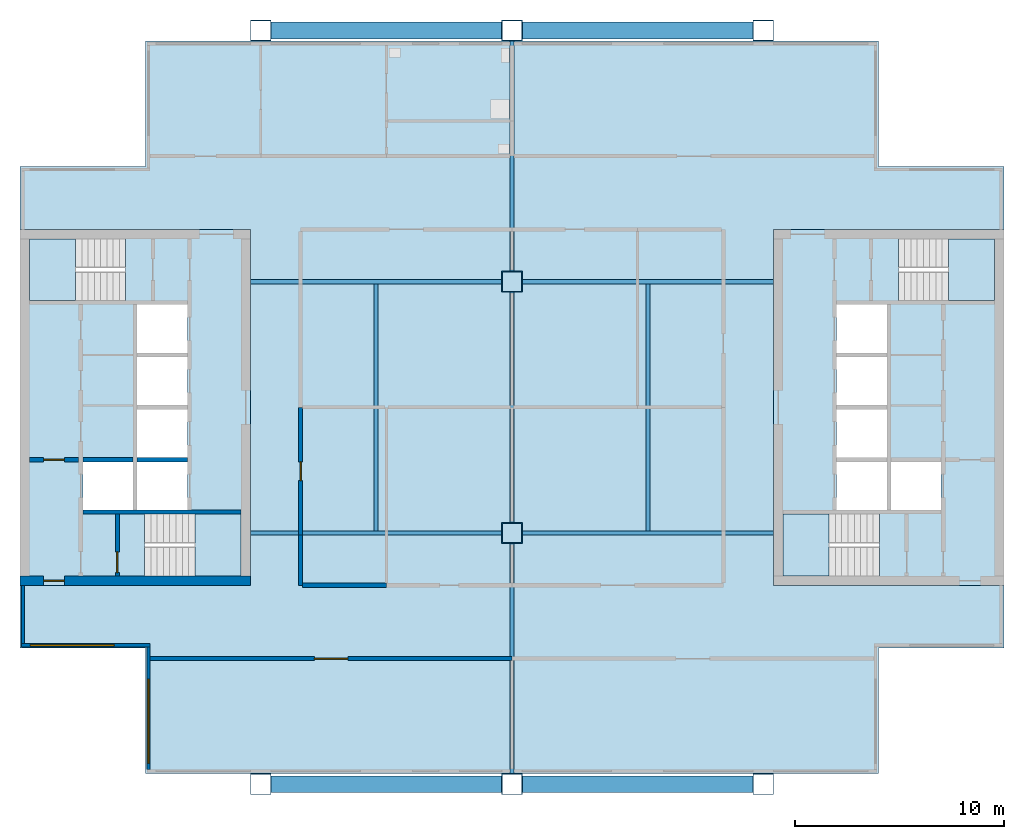
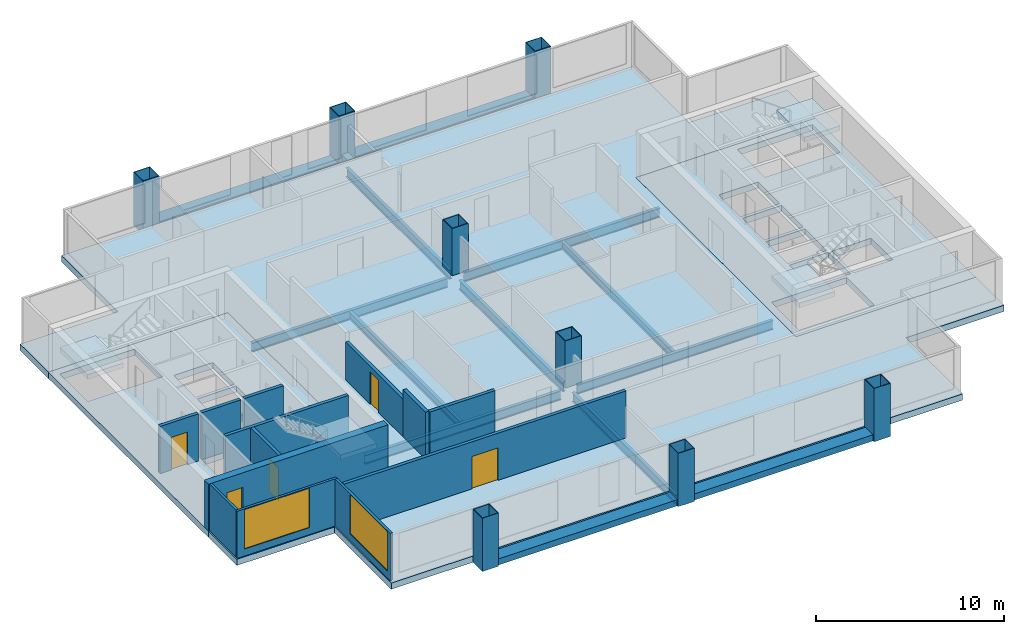
# One storey, part 1 of 7: 13 beams, 13 walls, 8 columns, 7 slabs, 5 doors, 2 windows, 7 openings, 4 elements without a shape of their own.
"""IFC4 building model written with IfcOpenShell, lengths in metres."""

from ifc_helpers import new_model, si_unit, direction, frame, frame_2d, origin, origin_2d, place, context, subcontext, project, spatial, polyline, rectangle, hollow_rectangle, i_section, outline, extrude, material, layer, layer_set, material_profile, profile_set, type_object, element, fill, aggregate, save


model = new_model("IFC4")

# Units and contexts
model_context = context("Model", 3, precision=1e-05, world=origin(), true_north=direction((0.0, 1.0)))
body_context = subcontext(model_context, "Body", "Model", "MODEL_VIEW")
ifc_project = project(units=[si_unit("LENGTHUNIT", "METRE"), si_unit("AREAUNIT", "SQUARE_METRE"), si_unit("VOLUMEUNIT", "CUBIC_METRE"), si_unit("PLANEANGLEUNIT", "RADIAN"), si_unit("MASSUNIT", "GRAM", prefix="KILO")], contexts=[model_context])

# Site, building, storey
site_placement = place(None, origin())
site = spatial("IfcSite", under=ifc_project, at=site_placement, CompositionType="ELEMENT")
building_placement = place(site_placement, origin())
building = spatial("IfcBuilding", under=site, at=building_placement, Name="Kitamizu Gate Tower and Museum", CompositionType="ELEMENT")
storey_placement = place(building_placement, frame((0.0, 0.0, 269.699951171875)))
storey = spatial("IfcBuildingStorey", under=building, at=storey_placement, Name="L73", CompositionType="ELEMENT", Elevation=269.699951171875)

# Columns
ifc_material_1 = material(Name="Steel SM490A bronze coated", Category="steel")
ifc_material_profile_1 = material_profile(ifc_material_1, hollow_rectangle(XDim=1.0, YDim=1.0, WallThickness=0.035888671875, at=origin_2d()), Name="BOX 1000x1000x36")
ifc_profile_set_1 = profile_set([ifc_material_profile_1], Name="Steel SM490A bronze coated")
column_type_1 = type_object("IfcColumnType", Name="Exoskeleton column XC9 BOX 1000x1000x36", PredefinedType="COLUMN", material=ifc_profile_set_1)
for number, where, z_axis, x_axis, name in (
    (1, (24.0, 12.0, -0.39990234375), (0.0, 0.0, 1.0), (1.0, 0.0, 0.0), "Column XC9 3B L73"),
    (2, (24.0, 48.0, -0.39990234375), (0.0, 0.0, 1.0), (1.0, 0.0, 0.0), "Column XC9 3E L73"),
    (3, (36.0, 12.0, -0.39990234375), (0.0, 0.0, 1.0), (1.0, 0.0, 0.0), "Column XC9 4B L73"),
    (4, (36.0, 48.0, -0.39990234375), (0.0, 0.0, 1.0), (1.0, 0.0, 0.0), "Column XC9 4E L73"),
    (5, (48.0, 12.0, -0.39990234375), (0.0, 0.0, 1.0), (1.0, 0.0, 0.0), "Column XC9 5B L73"),
    (6, (48.0, 48.0, -0.39990234375), (0.0, 0.0, 1.0), (1.0, 0.0, 0.0), "Column XC9 5E L73"),
):
    element("IfcColumn", number, at=place(storey_placement, frame(where, z_axis=z_axis, x_axis=x_axis)), inside=storey, type_object=column_type_1, Name=name, PredefinedType="COLUMN", context=body_context, shape_type="SweptSolid", body=[
        extrude(hollow_rectangle(XDim=1.0, YDim=1.0, WallThickness=0.035888671875, at=origin_2d()), origin(), (0.0, 0.0, 1.0), 3.449951171875),
    ])
ifc_material_2 = material(Name="Steel SM490A", Category="steel")
ifc_material_profile_2 = material_profile(ifc_material_2, hollow_rectangle(XDim=1.0, YDim=1.0, WallThickness=0.0400390625, at=origin_2d()), Name="BOX 1000x1000x40")
ifc_profile_set_2 = profile_set([ifc_material_profile_2], Name="Steel SM490A")
column_type_2 = type_object("IfcColumnType", Name="Interior column IC5 BOX 1000x1000x40", PredefinedType="COLUMN", material=ifc_profile_set_2)
for number, where, z_axis, x_axis, name in (
    (7, (36.0, 24.0, 0.0), (0.0, 0.0, 1.0), (1.0, 0.0, 0.0), "Column IC5 4C L73"),
    (8, (36.0, 36.0, 0.0), (0.0, 0.0, 1.0), (1.0, 0.0, 0.0), "Column IC5 4D L73"),
):
    element("IfcColumn", number, at=place(storey_placement, frame(where, z_axis=z_axis, x_axis=x_axis)), inside=storey, type_object=column_type_2, Name=name, PredefinedType="COLUMN", context=body_context, shape_type="SweptSolid", body=[
        extrude(hollow_rectangle(XDim=1.0, YDim=1.0, WallThickness=0.0400390625, at=origin_2d()), origin(), (0.0, 0.0, 1.0), 3.050048828125),
    ])

# Beams
ifc_material_3 = material(Name="Steel SM490A bronze coated", Category="steel")
ifc_material_profile_3 = material_profile(ifc_material_3, hollow_rectangle(XDim=0.800048828125, YDim=0.39990234375, WallThickness=0.0400390625, at=origin_2d()), Name="BOX 800x400x40")
ifc_profile_set_3 = profile_set([ifc_material_profile_3], Name="Steel SM490A bronze coated")
beam_type_1 = type_object("IfcBeamType", Name="Exoskeleton spandrel beam SB1 BOX 800x400x40", PredefinedType="SPANDREL", material=ifc_profile_set_3)
for number, where, z_axis, x_axis, name in (
    (9, (24.5, 12.0, -0.199951171875), (1.0, 0.0, 0.0), (0.0, 1.0, 0.0), "Exoskeleton spandrel beam south 24 L73"),
    (10, (36.5, 12.0, -0.199951171875), (1.0, 0.0, 0.0), (0.0, 1.0, 0.0), "Exoskeleton spandrel beam south 36 L73"),
    (11, (24.5, 48.0, -0.199951171875), (1.0, 0.0, 0.0), (0.0, 1.0, 0.0), "Exoskeleton spandrel beam north 24 L73"),
    (12, (36.5, 48.0, -0.199951171875), (1.0, 0.0, 0.0), (0.0, 1.0, 0.0), "Exoskeleton spandrel beam north 36 L73"),
):
    element("IfcBeam", number, at=place(storey_placement, frame(where, z_axis=z_axis, x_axis=x_axis)), inside=storey, type_object=beam_type_1, Name=name, PredefinedType="SPANDREL", context=body_context, shape_type="SweptSolid", body=[
        extrude(hollow_rectangle(XDim=0.800048828125, YDim=0.39990234375, WallThickness=0.0400390625, at=origin_2d()), origin(), (0.0, 0.0, 1.0), 11.0),
    ])
ifc_material_4 = material(Name="Steel SM490A", Category="steel")
ifc_material_profile_4 = material_profile(ifc_material_4, i_section(OverallWidth=0.199951171875, OverallDepth=0.5, WebThickness=0.010009765625, FlangeThickness=0.01611328125, FilletRadius=0.02001953125, at=origin_2d()), Name="H-500x200x10x16")
ifc_profile_set_4 = profile_set([ifc_material_profile_4], Name="Steel SM490A")
beam_type_2 = type_object("IfcBeamType", Name="Floor beam FB1 H 500x200x10x16", PredefinedType="BEAM", material=ifc_profile_set_4)
for number, where, z_axis, x_axis, name in (
    (13, (29.5, 24.10009765625, -0.64990234375), (0.0, 1.0, 0.0), (-1.0, 0.0, 0.0), "Floor beam FB1 L73-1"),
    (14, (42.5, 24.10009765625, -0.64990234375), (0.0, 1.0, 0.0), (-1.0, 0.0, 0.0), "Floor beam FB1 L73-2"),
):
    element("IfcBeam", number, at=place(storey_placement, frame(where, z_axis=z_axis, x_axis=x_axis)), inside=storey, type_object=beam_type_2, Name=name, PredefinedType="BEAM", context=body_context, shape_type="SweptSolid", body=[
        extrude(i_section(OverallWidth=0.199951171875, OverallDepth=0.5, WebThickness=0.010009765625, FlangeThickness=0.01611328125, FilletRadius=0.02001953125, at=origin_2d()), origin(), (0.0, 0.0, 1.0), 11.7998046875),
    ])
ifc_material_5 = material(Name="Steel SM490A", Category="steel")
ifc_material_profile_5 = material_profile(ifc_material_5, i_section(OverallWidth=0.199951171875, OverallDepth=0.60009765625, WebThickness=0.010986328125, FlangeThickness=0.01708984375, FilletRadius=0.02197265625, at=origin_2d()), Name="H-600x200x11x17")
ifc_profile_set_5 = profile_set([ifc_material_profile_5], Name="Steel SM490A")
beam_type_3 = type_object("IfcBeamType", Name="Floor girder FG1 H 600x200x11x17", PredefinedType="BEAM", material=ifc_profile_set_5)
for number, where, z_axis, x_axis, name in (
    (15, (36.0, 12.5, -0.699951171875), (0.0, 1.0, 0.0), (-1.0, 0.0, 0.0), "Floor girder FG1 x36 L73"),
    (16, (36.0, 24.5, -0.699951171875), (0.0, 1.0, 0.0), (-1.0, 0.0, 0.0), "Floor girder FG1 x36 L73"),
    (17, (36.0, 36.5, -0.699951171875), (0.0, 1.0, 0.0), (-1.0, 0.0, 0.0), "Floor girder FG1 x36 L73"),
):
    element("IfcBeam", number, at=place(storey_placement, frame(where, z_axis=z_axis, x_axis=x_axis)), inside=storey, type_object=beam_type_3, Name=name, PredefinedType="BEAM", context=body_context, shape_type="SweptSolid", body=[
        extrude(i_section(OverallWidth=0.199951171875, OverallDepth=0.60009765625, WebThickness=0.010986328125, FlangeThickness=0.01708984375, FilletRadius=0.02197265625, at=origin_2d()), origin(), (0.0, 0.0, 1.0), 11.0),
    ])
for number, where, z_axis, x_axis, name in (
    (18, (23.5, 24.0, -0.699951171875), (1.0, 0.0, 0.0), (0.0, 1.0, 0.0), "Floor girder FG1 y24 L73"),
    (19, (36.5, 24.0, -0.699951171875), (1.0, 0.0, 0.0), (0.0, 1.0, 0.0), "Floor girder FG1 y24 L73"),
    (20, (23.5, 36.0, -0.699951171875), (1.0, 0.0, 0.0), (0.0, 1.0, 0.0), "Floor girder FG1 y36 L73"),
    (21, (36.5, 36.0, -0.699951171875), (1.0, 0.0, 0.0), (0.0, 1.0, 0.0), "Floor girder FG1 y36 L73"),
):
    element("IfcBeam", number, at=place(storey_placement, frame(where, z_axis=z_axis, x_axis=x_axis)), inside=storey, type_object=beam_type_3, Name=name, PredefinedType="BEAM", context=body_context, shape_type="SweptSolid", body=[
        extrude(i_section(OverallWidth=0.199951171875, OverallDepth=0.60009765625, WebThickness=0.010986328125, FlangeThickness=0.01708984375, FilletRadius=0.02197265625, at=origin_2d()), origin(), (0.0, 0.0, 1.0), 12.0),
    ])

# Slabs
ifc_material_6 = material(Name="Concrete Fc36", Category="concrete")
ifc_layer_1 = layer(ifc_material_6, 0.39990234375)
ifc_layer_set_1 = layer_set([ifc_layer_1], Name="Concrete Fc36")
slab_type_1 = type_object("IfcSlabType", Name="Core floor slab 400", PredefinedType="FLOOR", material=ifc_layer_set_1)
slab_1_placement = place(storey_placement, frame((0.0, 0.0, -0.39990234375)))
element("IfcSlab", 22, at=slab_1_placement, inside=storey, type_object=slab_type_1, Name="Core floor slab W", PredefinedType="FLOOR", context=body_context, shape_type="SweptSolid", body=[
    extrude(outline(polyline([(12.5, 21.5), (23.5, 21.5), (23.5, 38.5), (12.5, 38.5), (12.5, 21.5)]), holes=[polyline([(15.5, 25.10009765625), (17.89990234375, 25.10009765625), (17.89990234375, 27.39990234375), (15.5, 27.39990234375), (15.5, 25.10009765625)]), polyline([(18.10009765625, 25.10009765625), (20.5, 25.10009765625), (20.5, 27.39990234375), (18.10009765625, 27.39990234375), (18.10009765625, 25.10009765625)]), polyline([(18.10009765625, 27.60009765625), (20.5, 27.60009765625), (20.5, 29.89990234375), (18.10009765625, 29.89990234375), (18.10009765625, 27.60009765625)]), polyline([(18.10009765625, 30.10009765625), (20.5, 30.10009765625), (20.5, 32.39990234375), (18.10009765625, 32.39990234375), (18.10009765625, 30.10009765625)]), polyline([(18.10009765625, 32.60009765625), (20.5, 32.60009765625), (20.5, 34.89990234375), (18.10009765625, 34.89990234375), (18.10009765625, 32.60009765625)]), polyline([(18.45068359375, 21.949951171875), (23.050048828125, 21.949951171875), (23.050048828125, 24.89990234375), (18.45068359375, 24.89990234375), (18.45068359375, 21.949951171875)]), polyline([(12.949951171875, 35.10009765625), (17.54931640625, 35.10009765625), (17.54931640625, 38.050048828125), (12.949951171875, 38.050048828125), (12.949951171875, 35.10009765625)])]), origin(), (0.0, 0.0, 1.0), 0.39990234375),
])
slab_2_placement = place(storey_placement, frame((0.0, 0.0, -0.39990234375)))
element("IfcSlab", 23, at=slab_2_placement, inside=storey, type_object=slab_type_1, Name="Core floor slab E", PredefinedType="FLOOR", context=body_context, shape_type="SweptSolid", body=[
    extrude(outline(polyline([(48.5, 21.5), (59.5, 21.5), (59.5, 38.5), (48.5, 38.5), (48.5, 21.5)]), holes=[polyline([(54.10009765625, 25.10009765625), (56.5, 25.10009765625), (56.5, 27.39990234375), (54.10009765625, 27.39990234375), (54.10009765625, 25.10009765625)]), polyline([(51.5, 25.10009765625), (53.89990234375, 25.10009765625), (53.89990234375, 27.39990234375), (51.5, 27.39990234375), (51.5, 25.10009765625)]), polyline([(51.5, 27.60009765625), (53.89990234375, 27.60009765625), (53.89990234375, 29.89990234375), (51.5, 29.89990234375), (51.5, 27.60009765625)]), polyline([(51.5, 30.10009765625), (53.89990234375, 30.10009765625), (53.89990234375, 32.39990234375), (51.5, 32.39990234375), (51.5, 30.10009765625)]), polyline([(51.5, 32.60009765625), (53.89990234375, 32.60009765625), (53.89990234375, 34.89990234375), (51.5, 34.89990234375), (51.5, 32.60009765625)]), polyline([(48.949951171875, 21.949951171875), (53.54931640625, 21.949951171875), (53.54931640625, 24.89990234375), (48.949951171875, 24.89990234375), (48.949951171875, 21.949951171875)]), polyline([(54.45068359375, 35.10009765625), (59.050048828125, 35.10009765625), (59.050048828125, 38.050048828125), (54.45068359375, 38.050048828125), (54.45068359375, 35.10009765625)])]), origin(), (0.0, 0.0, 1.0), 0.39990234375),
])
ifc_material_7 = material(Name="Concrete Fc36", Category="concrete")
ifc_layer_2 = layer(ifc_material_7, 0.39990234375)
ifc_layer_set_2 = layer_set([ifc_layer_2], Name="Concrete Fc36")
slab_type_2 = type_object("IfcSlabType", Name="Post tensioned flat slab 400", PredefinedType="FLOOR", material=ifc_layer_set_2)
slab_3_placement = place(storey_placement, frame((0.0, 0.0, -0.39990234375)))
element("IfcSlab", 24, at=slab_3_placement, inside=storey, type_object=slab_type_2, Name="Floor slab L73-1", PredefinedType="FLOOR", context=body_context, shape_type="SweptSolid", body=[
    extrude(outline(polyline([(12.5, 18.5), (12.5, 21.5), (23.5, 21.5), (23.5, 38.5), (12.5, 38.5), (12.5, 41.5), (18.5, 41.5), (18.5, 47.5), (53.5, 47.5), (53.5, 41.5), (59.5, 41.5), (59.5, 38.5), (48.5, 38.5), (48.5, 21.5), (59.5, 21.5), (59.5, 18.5), (53.5, 18.5), (53.5, 12.5), (18.5, 12.5), (18.5, 18.5), (12.5, 18.5)])), origin(), (0.0, 0.0, 1.0), 0.39990234375),
])

# Stair, slab
ifc_material_8 = material(Name="Concrete Fc42", Category="concrete")
stair_type = type_object("IfcStairType", Name="Exit stair 1375 wide 192 rise 300 going", PredefinedType="HALF_TURN_STAIR", material=ifc_material_8)
stair_1_placement = place(storey_placement, origin())
stair_1 = element("IfcStair", 25, at=stair_1_placement, inside=storey, type_object=stair_type, Name="Exit stair ST1", PredefinedType="HALF_TURN_STAIR")
ifc_material_9 = material(Name="Concrete Fc42", Category="concrete")
ifc_layer_3 = layer(ifc_material_9, 0.300048828125)
ifc_layer_set_3 = layer_set([ifc_layer_3], Name="Concrete Fc42")
slab_type_3 = type_object("IfcSlabType", Name="Stair landing 300", PredefinedType="LANDING", material=ifc_layer_set_3)
slab_4_placement = place(storey_placement, frame((0.0, 0.0, 1.425048828125)))
slab_4 = element("IfcSlab", 26, at=slab_4_placement, type_object=slab_type_3, Name="ST1 landing 1", PredefinedType="LANDING", context=body_context, shape_type="SweptSolid", body=[
    extrude(outline(polyline([(20.85009765625, 21.949951171875), (23.050048828125, 21.949951171875), (23.050048828125, 24.89990234375), (20.85009765625, 24.89990234375), (20.85009765625, 21.949951171875)])), origin(), (0.0, 0.0, 1.0), 0.300048828125),
])
aggregate(stair_1, [slab_4])

stair_2_placement = place(storey_placement, origin())
stair_2 = element("IfcStair", 27, at=stair_2_placement, inside=storey, type_object=stair_type, Name="Exit stair ST2", PredefinedType="HALF_TURN_STAIR")
slab_5_placement = place(storey_placement, frame((0.0, 0.0, 1.425048828125)))
slab_5 = element("IfcSlab", 28, at=slab_5_placement, type_object=slab_type_3, Name="ST2 landing 1", PredefinedType="LANDING", context=body_context, shape_type="SweptSolid", body=[
    extrude(outline(polyline([(12.949951171875, 35.10009765625), (15.14990234375, 35.10009765625), (15.14990234375, 38.050048828125), (12.949951171875, 38.050048828125), (12.949951171875, 35.10009765625)])), origin(), (0.0, 0.0, 1.0), 0.300048828125),
])
aggregate(stair_2, [slab_5])

stair_3_placement = place(storey_placement, origin())
stair_3 = element("IfcStair", 29, at=stair_3_placement, inside=storey, type_object=stair_type, Name="Exit stair ST3", PredefinedType="HALF_TURN_STAIR")
slab_6_placement = place(storey_placement, frame((0.0, 0.0, 1.425048828125)))
slab_6 = element("IfcSlab", 30, at=slab_6_placement, type_object=slab_type_3, Name="ST3 landing 1", PredefinedType="LANDING", context=body_context, shape_type="SweptSolid", body=[
    extrude(outline(polyline([(48.949951171875, 21.949951171875), (51.14990234375, 21.949951171875), (51.14990234375, 24.89990234375), (48.949951171875, 24.89990234375), (48.949951171875, 21.949951171875)])), origin(), (0.0, 0.0, 1.0), 0.300048828125),
])
aggregate(stair_3, [slab_6])

stair_4_placement = place(storey_placement, origin())
stair_4 = element("IfcStair", 31, at=stair_4_placement, inside=storey, type_object=stair_type, Name="Exit stair ST4", PredefinedType="HALF_TURN_STAIR")
slab_7_placement = place(storey_placement, frame((0.0, 0.0, 1.425048828125)))
slab_7 = element("IfcSlab", 32, at=slab_7_placement, type_object=slab_type_3, Name="ST4 landing 1", PredefinedType="LANDING", context=body_context, shape_type="SweptSolid", body=[
    extrude(outline(polyline([(56.85009765625, 35.10009765625), (59.050048828125, 35.10009765625), (59.050048828125, 38.050048828125), (56.85009765625, 38.050048828125), (56.85009765625, 35.10009765625)])), origin(), (0.0, 0.0, 1.0), 0.300048828125),
])
aggregate(stair_4, [slab_7])

# Wall, opening, door
ifc_material_10 = material(Name="Concrete Fc42", Category="concrete")
ifc_layer_4 = layer(ifc_material_10, 0.449951171875)
ifc_layer_set_4 = layer_set([ifc_layer_4], Name="Concrete Fc42")
wall_type_1 = type_object("IfcWallType", Name="Core wall 450 EI 60", PredefinedType="SHEAR", material=ifc_layer_set_4)
wall_1_placement = place(storey_placement, frame((12.5, 21.72509765625, 0.0), z_axis=(0.0, 0.0, 1.0), x_axis=(1.0, 0.0, 0.0)))
wall_1 = element("IfcWall", 33, at=wall_1_placement, inside=storey, type_object=wall_type_1, Name="Core wall WS", PredefinedType="SHEAR", context=body_context, shape_type="SweptSolid", body=[
    extrude(rectangle(XDim=11.0, YDim=0.449951171875, at=frame_2d((5.5, 0.0))), origin(), (0.0, 0.0, 1.0), 3.050048828125),
])
opening_1_placement = place(wall_1_placement, frame((1.125, 0.0, 0.0)))
opening_1 = element("IfcOpeningElement", 34, at=opening_1_placement, cuts=wall_1, Name="Opening L73-019", PredefinedType="OPENING", context=body_context, shape_type="SweptSolid", body=[
    extrude(rectangle(XDim=1.0, YDim=2.10009765625, at=frame_2d((0.5, 1.050048828125))), frame((0.0, 0.23486328125, 0.0), z_axis=(0.0, -1.0, 0.0), x_axis=(1.0, 0.0, 0.0)), (0.0, 0.0, 1.0), 0.469970703125),
])
ifc_material_11 = material(Name="Hollow metal door set")
door_type_1 = type_object("IfcDoorType", Name="Fire door 1000", OperationType="NOTDEFINED", PredefinedType="DOOR", material=ifc_material_11)
door_1_placement = place(opening_1_placement, origin())
door_1 = element("IfcDoor", 35, at=door_1_placement, inside=storey, type_object=door_type_1, Name="Fire-fighting lobby door L73-019", OperationType="SINGLE_SWING_LEFT", OverallHeight=2.10009765625, OverallWidth=1.0, PredefinedType="DOOR", context=body_context, shape_type="SweptSolid", body=[
    extrude(rectangle(XDim=1.0, YDim=2.10009765625, at=frame_2d((0.5, 1.050048828125))), frame((0.0, 0.02490234375, 0.0), z_axis=(0.0, -1.0, 0.0), x_axis=(1.0, 0.0, 0.0)), (0.0, 0.0, 1.0), 0.050048828125),
])
fill(opening_1, door_1)

ifc_material_12 = material(Name="Gypsum board on galvanised stud")
ifc_layer_5 = layer(ifc_material_12, 0.199951171875)
ifc_layer_set_5 = layer_set([ifc_layer_5], Name="Gypsum board on galvanised stud")
wall_type_2 = type_object("IfcWallType", Name="Partition 200", PredefinedType="PARTITIONING", material=ifc_layer_set_5)
wall_2_placement = place(storey_placement, frame((36.0, 18.0, 0.0), z_axis=(0.0, 0.0, 1.0), x_axis=(-1.0, 0.0, 0.0)))
wall_2 = element("IfcWall", 36, at=wall_2_placement, inside=storey, type_object=wall_type_2, Name="Partition L73-012", PredefinedType="PARTITIONING", context=body_context, shape_type="SweptSolid", body=[
    extrude(rectangle(XDim=17.280029296875, YDim=0.199951171875, at=frame_2d((8.64013671875, 0.0))), origin(), (0.0, 0.0, 1.0), 3.050048828125),
])
opening_2_placement = place(wall_2_placement, frame((7.840087890625, 0.0, 0.0)))
opening_2 = element("IfcOpeningElement", 37, at=opening_2_placement, cuts=wall_2, Name="Opening L73-006", PredefinedType="OPENING", context=body_context, shape_type="SweptSolid", body=[
    extrude(rectangle(XDim=1.60009765625, YDim=2.10009765625, at=frame_2d((0.800048828125, 1.050048828125))), frame((0.0, 0.10986328125, 0.0), z_axis=(0.0, -1.0, 0.0), x_axis=(1.0, 0.0, 0.0)), (0.0, 0.0, 1.0), 0.219970703125),
])
ifc_material_13 = material(Name="Timber door set", Category="wood")
door_type_2 = type_object("IfcDoorType", Name="Double door 1600", OperationType="DOUBLE_DOOR_SINGLE_SWING", PredefinedType="DOOR", material=ifc_material_13)
door_2_placement = place(opening_2_placement, origin())
door_2 = element("IfcDoor", 38, at=door_2_placement, inside=storey, type_object=door_type_2, Name="Double door L73-006", OperationType="DOUBLE_DOOR_SINGLE_SWING", OverallHeight=2.10009765625, OverallWidth=1.60009765625, PredefinedType="DOOR", context=body_context, shape_type="SweptSolid", body=[
    extrude(rectangle(XDim=1.60009765625, YDim=2.10009765625, at=frame_2d((0.800048828125, 1.050048828125))), frame((0.0, 0.02490234375, 0.0), z_axis=(0.0, -1.0, 0.0), x_axis=(1.0, 0.0, 0.0)), (0.0, 0.0, 1.0), 0.050048828125),
])
fill(opening_2, door_2)

wall_3_placement = place(storey_placement, frame((25.89990234375, 30.0, 0.0), z_axis=(0.0, 0.0, 1.0), x_axis=(0.0, -1.0, 0.0)))
wall_3 = element("IfcWall", 39, at=wall_3_placement, inside=storey, type_object=wall_type_2, Name="Partition L73-014", PredefinedType="PARTITIONING", context=body_context, shape_type="SweptSolid", body=[
    extrude(rectangle(XDim=6.10009765625, YDim=0.199951171875, at=frame_2d((3.050048828125, 0.0))), origin(), (0.0, 0.0, 1.0), 2.449951171875),
])
opening_3_placement = place(wall_3_placement, frame((2.60009765625, 0.0, 0.0)))
opening_3 = element("IfcOpeningElement", 40, at=opening_3_placement, cuts=wall_3, Name="Opening L73-008", PredefinedType="OPENING", context=body_context, shape_type="SweptSolid", body=[
    extrude(rectangle(XDim=0.89990234375, YDim=2.10009765625, at=frame_2d((0.449951171875, 1.050048828125))), frame((0.0, 0.10986328125, 0.0), z_axis=(0.0, -1.0, 0.0), x_axis=(1.0, 0.0, 0.0)), (0.0, 0.0, 1.0), 0.219970703125),
])
ifc_material_14 = material(Name="Timber door set", Category="wood")
door_type_3 = type_object("IfcDoorType", Name="Room door 900", OperationType="NOTDEFINED", PredefinedType="DOOR", material=ifc_material_14)
door_3_placement = place(opening_3_placement, origin())
door_3 = element("IfcDoor", 41, at=door_3_placement, inside=storey, type_object=door_type_3, Name="Door L73-008", OperationType="SINGLE_SWING_RIGHT", OverallHeight=2.10009765625, OverallWidth=0.89990234375, PredefinedType="DOOR", context=body_context, shape_type="SweptSolid", body=[
    extrude(rectangle(XDim=0.89990234375, YDim=2.10009765625, at=frame_2d((0.449951171875, 1.050048828125))), frame((0.0, 0.02490234375, 0.0), z_axis=(0.0, -1.0, 0.0), x_axis=(1.0, 0.0, 0.0)), (0.0, 0.0, 1.0), 0.050048828125),
])
fill(opening_3, door_3)

# Walls
wall_4_placement = place(storey_placement, frame((25.89990234375, 23.89990234375, 0.0), z_axis=(0.0, 0.0, 1.0), x_axis=(0.0, -1.0, 0.0)))
element("IfcWall", 42, at=wall_4_placement, inside=storey, type_object=wall_type_2, Name="Partition L73-015", PredefinedType="PARTITIONING", context=body_context, shape_type="SweptSolid", body=[
    extrude(rectangle(XDim=2.39990234375, YDim=0.199951171875, at=frame_2d((1.199951171875, 0.0))), origin(), (0.0, 0.0, 1.0), 3.050048828125),
])
wall_5_placement = place(storey_placement, frame((26.0, 21.5, 0.0), z_axis=(0.0, 0.0, 1.0), x_axis=(1.0, 0.0, 0.0)))
element("IfcWall", 43, at=wall_5_placement, inside=storey, type_object=wall_type_2, Name="Partition L73-016", PredefinedType="PARTITIONING", context=body_context, shape_type="SweptSolid", body=[
    extrude(rectangle(XDim=4.0, YDim=0.199951171875, at=frame_2d((2.0, 0.0))), origin(), (0.0, 0.0, 1.0), 3.050048828125),
])
ifc_material_15 = material(Name="Concrete Fc42", Category="concrete")
ifc_layer_6 = layer(ifc_material_15, 0.199951171875)
ifc_layer_set_6 = layer_set([ifc_layer_6], Name="Concrete Fc42")
wall_type_3 = type_object("IfcWallType", Name="Shaft wall 200", PredefinedType="SOLIDWALL", material=ifc_layer_set_6)
wall_6_placement = place(storey_placement, frame((15.5, 25.0, 0.0), z_axis=(0.0, 0.0, 1.0), x_axis=(1.0, 0.0, 0.0)))
element("IfcWall", 44, at=wall_6_placement, inside=storey, type_object=wall_type_3, Name="Shaft wall WSB", PredefinedType="SOLIDWALL", context=body_context, shape_type="SweptSolid", body=[
    extrude(rectangle(XDim=7.550048828125, YDim=0.199951171875, at=frame_2d((3.77490234375, 0.0))), origin(), (0.0, 0.0, 1.0), 3.050048828125),
])

# Wall, opening, door
wall_7_placement = place(storey_placement, frame((12.949951171875, 27.5, 0.0), z_axis=(0.0, 0.0, 1.0), x_axis=(1.0, 0.0, 0.0)))
wall_7 = element("IfcWall", 45, at=wall_7_placement, inside=storey, type_object=wall_type_3, Name="Shaft wall WFFN", PredefinedType="SOLIDWALL", context=body_context, shape_type="SweptSolid", body=[
    extrude(rectangle(XDim=2.35009765625, YDim=0.199951171875, at=frame_2d((1.175048828125, 0.0))), origin(), (0.0, 0.0, 1.0), 3.050048828125),
])
opening_4_placement = place(wall_7_placement, frame((0.675048828125, 0.0, 0.0)))
opening_4 = element("IfcOpeningElement", 46, at=opening_4_placement, cuts=wall_7, Name="Opening L73-018", PredefinedType="OPENING", context=body_context, shape_type="SweptSolid", body=[
    extrude(rectangle(XDim=1.0, YDim=2.10009765625, at=frame_2d((0.5, 1.050048828125))), frame((0.0, 0.10986328125, 0.0), z_axis=(0.0, -1.0, 0.0), x_axis=(1.0, 0.0, 0.0)), (0.0, 0.0, 1.0), 0.219970703125),
])
door_4_placement = place(opening_4_placement, frame((1.0, 0.0, 0.0), x_axis=(-1.0, 0.0, 0.0)))
door_4 = element("IfcDoor", 47, at=door_4_placement, inside=storey, type_object=door_type_1, Name="Fire-fighting lobby door L73-018", OperationType="SINGLE_SWING_LEFT", OverallHeight=2.10009765625, OverallWidth=1.0, PredefinedType="DOOR", context=body_context, shape_type="SweptSolid", body=[
    extrude(rectangle(XDim=1.0, YDim=2.10009765625, at=frame_2d((0.5, 1.050048828125))), frame((0.0, 0.02490234375, 0.0), z_axis=(0.0, -1.0, 0.0), x_axis=(1.0, 0.0, 0.0)), (0.0, 0.0, 1.0), 0.050048828125),
])
fill(opening_4, door_4)

wall_8_placement = place(storey_placement, frame((17.14990234375, 21.949951171875, 0.0), z_axis=(0.0, 0.0, 1.0), x_axis=(0.0, 1.0, 0.0)))
wall_8 = element("IfcWall", 48, at=wall_8_placement, inside=storey, type_object=wall_type_3, Name="Shaft wall WSZ", PredefinedType="SOLIDWALL", context=body_context, shape_type="SweptSolid", body=[
    extrude(rectangle(XDim=2.949951171875, YDim=0.199951171875, at=frame_2d((1.47509765625, 0.0))), origin(), (0.0, 0.0, 1.0), 3.050048828125),
])
opening_5_placement = place(wall_8_placement, frame((0.14990234375, 0.0, 0.0)))
opening_5 = element("IfcOpeningElement", 49, at=opening_5_placement, cuts=wall_8, Name="Opening L73-014", PredefinedType="OPENING", context=body_context, shape_type="SweptSolid", body=[
    extrude(rectangle(XDim=1.0, YDim=2.10009765625, at=frame_2d((0.5, 1.050048828125))), frame((0.0, 0.10986328125, 0.0), z_axis=(0.0, -1.0, 0.0), x_axis=(1.0, 0.0, 0.0)), (0.0, 0.0, 1.0), 0.219970703125),
])
door_5_placement = place(opening_5_placement, frame((1.0, 0.0, 0.0), x_axis=(-1.0, 0.0, 0.0)))
door_5 = element("IfcDoor", 50, at=door_5_placement, inside=storey, type_object=door_type_1, Name="Stair door L73-014", OperationType="SINGLE_SWING_LEFT", OverallHeight=2.10009765625, OverallWidth=1.0, PredefinedType="DOOR", context=body_context, shape_type="SweptSolid", body=[
    extrude(rectangle(XDim=1.0, YDim=2.10009765625, at=frame_2d((0.5, 1.050048828125))), frame((0.0, 0.02490234375, 0.0), z_axis=(0.0, -1.0, 0.0), x_axis=(1.0, 0.0, 0.0)), (0.0, 0.0, 1.0), 0.050048828125),
])
fill(opening_5, door_5)

# Walls
for number, where, z_axis, x_axis, name in (
    (51, (15.5, 27.5, 0.0), (0.0, 0.0, 1.0), (1.0, 0.0, 0.0), "Shaft wall WDVW0"),
    (52, (18.10009765625, 27.5, 0.0), (0.0, 0.0, 1.0), (1.0, 0.0, 0.0), "Shaft wall WDVE0"),
):
    element("IfcWall", number, at=place(storey_placement, frame(where, z_axis=z_axis, x_axis=x_axis)), inside=storey, type_object=wall_type_3, Name=name, PredefinedType="SOLIDWALL", context=body_context, shape_type="SweptSolid", body=[
        extrude(rectangle(XDim=2.39990234375, YDim=0.199951171875, at=frame_2d((1.199951171875, 0.0))), origin(), (0.0, 0.0, 1.0), 3.050048828125),
    ])
ifc_material_16 = material(Name="Bronze anodised aluminium frame with insulated spandrel and tinted glass", Category="aluminium")
ifc_layer_7 = layer(ifc_material_16, 0.14990234375)
ifc_layer_set_7 = layer_set([ifc_layer_7], Name="Bronze anodised aluminium frame with insulated spandrel and tinted glass")
wall_type_4 = type_object("IfcWallType", Name="WINDOW WALL 150 BRONZE FRAME EI 30", PredefinedType="ELEMENTEDWALL", material=ifc_layer_set_7)
wall_9_placement = place(storey_placement, frame((12.635009765625, 18.7099609375, 0.0), z_axis=(0.0, 0.0, 1.0), x_axis=(0.0, 1.0, 0.0)))
element("IfcWall", 53, at=wall_9_placement, inside=storey, type_object=wall_type_4, Name="Window wall west L73", PredefinedType="ELEMENTEDWALL", context=body_context, shape_type="SweptSolid", body=[
    extrude(rectangle(XDim=2.7900390625, YDim=0.14990234375, at=frame_2d((1.39501953125, 0.0))), origin(), (0.0, 0.0, 1.0), 3.050048828125),
])

# Wall, opening, window
wall_10_placement = place(storey_placement, frame((12.56005859375, 18.635009765625, 0.0), z_axis=(0.0, 0.0, 1.0), x_axis=(1.0, 0.0, 0.0)))
wall_10 = element("IfcWall", 54, at=wall_10_placement, inside=storey, type_object=wall_type_4, Name="Window wall south L73", PredefinedType="ELEMENTEDWALL", context=body_context, shape_type="SweptSolid", body=[
    extrude(rectangle(XDim=6.14990234375, YDim=0.14990234375, at=frame_2d((3.074951171875, 0.0))), origin(), (0.0, 0.0, 1.0), 3.050048828125),
])
opening_6_placement = place(wall_10_placement, frame((0.43994140625, 0.0, 0.449951171875)))
opening_6 = element("IfcOpeningElement", 55, at=opening_6_placement, cuts=wall_10, Name="Opening W16", PredefinedType="OPENING", context=body_context, shape_type="SweptSolid", body=[
    extrude(rectangle(XDim=4.0, YDim=2.550048828125, at=frame_2d((2.0, 1.27490234375))), frame((0.0, 0.0849609375, 0.0), z_axis=(0.0, -1.0, 0.0), x_axis=(1.0, 0.0, 0.0)), (0.0, 0.0, 1.0), 0.169921875),
])
ifc_material_17 = material(Name="Bronze anodised aluminium frame, tinted triple glazing", Category="aluminium")
window_type = type_object("IfcWindowType", Name="WINDOW 4000 x 2550 SILL 450", PartitioningType="SINGLE_PANEL", PredefinedType="WINDOW", material=ifc_material_17)
window_1_placement = place(opening_6_placement, origin())
window_1 = element("IfcWindow", 56, at=window_1_placement, inside=storey, type_object=window_type, Name="Window W16 L73", OverallHeight=2.550048828125, OverallWidth=4.0, PartitioningType="SINGLE_PANEL", PredefinedType="WINDOW", context=body_context, shape_type="SweptSolid", body=[
    extrude(rectangle(XDim=4.0, YDim=2.550048828125, at=frame_2d((2.0, 1.27490234375))), frame((0.0, 0.030029296875, 0.0), z_axis=(0.0, -1.0, 0.0), x_axis=(1.0, 0.0, 0.0)), (0.0, 0.0, 1.0), 0.06005859375),
])
fill(opening_6, window_1)

wall_11_placement = place(storey_placement, frame((18.635009765625, 12.7099609375, 0.0), z_axis=(0.0, 0.0, 1.0), x_axis=(0.0, 1.0, 0.0)))
wall_11 = element("IfcWall", 57, at=wall_11_placement, inside=storey, type_object=wall_type_4, Name="Window wall west L73", PredefinedType="ELEMENTEDWALL", context=body_context, shape_type="SweptSolid", body=[
    extrude(rectangle(XDim=5.85009765625, YDim=0.14990234375, at=frame_2d((2.925048828125, 0.0))), origin(), (0.0, 0.0, 1.0), 3.050048828125),
])
opening_7_placement = place(wall_11_placement, frame((0.2900390625, 0.0, 0.449951171875)))
opening_7 = element("IfcOpeningElement", 58, at=opening_7_placement, cuts=wall_11, Name="Opening W16", PredefinedType="OPENING", context=body_context, shape_type="SweptSolid", body=[
    extrude(rectangle(XDim=4.0, YDim=2.550048828125, at=frame_2d((2.0, 1.27490234375))), frame((0.0, 0.0849609375, 0.0), z_axis=(0.0, -1.0, 0.0), x_axis=(1.0, 0.0, 0.0)), (0.0, 0.0, 1.0), 0.169921875),
])
window_2_placement = place(opening_7_placement, origin())
window_2 = element("IfcWindow", 59, at=window_2_placement, inside=storey, type_object=window_type, Name="Window W16 L73", OverallHeight=2.550048828125, OverallWidth=4.0, PartitioningType="SINGLE_PANEL", PredefinedType="WINDOW", context=body_context, shape_type="SweptSolid", body=[
    extrude(rectangle(XDim=4.0, YDim=2.550048828125, at=frame_2d((2.0, 1.27490234375))), frame((0.0, 0.030029296875, 0.0), z_axis=(0.0, -1.0, 0.0), x_axis=(1.0, 0.0, 0.0)), (0.0, 0.0, 1.0), 0.06005859375),
])
fill(opening_7, window_2)

save(model, "model.ifc")
